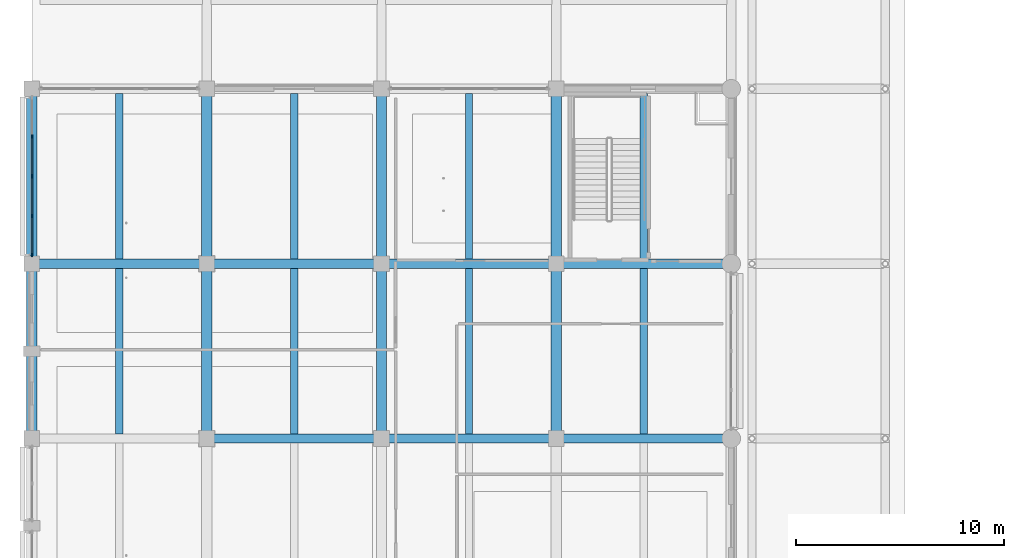
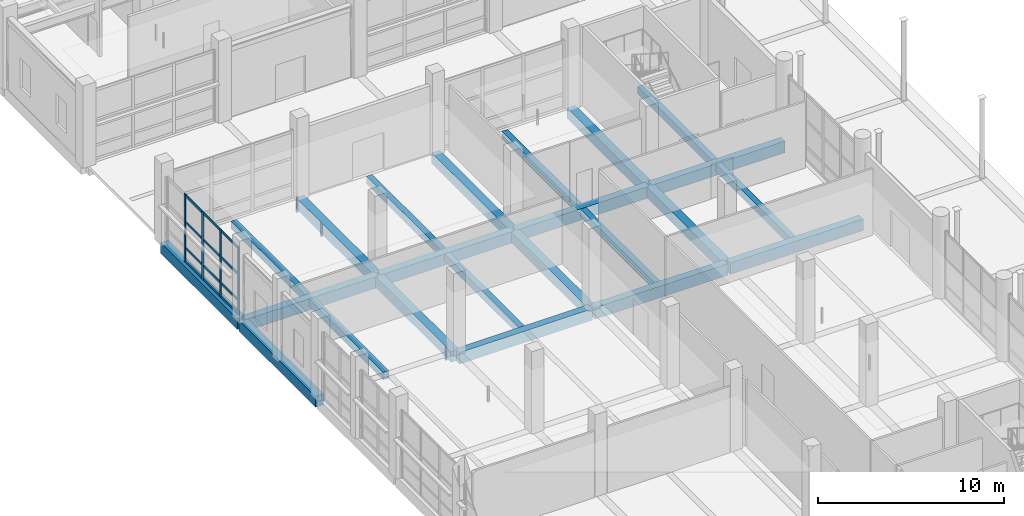
# One storey, part 25 of 140: 23 beams, 16 members, 1 element without a shape of its own.
"""IFC4 building model written with IfcOpenShell, lengths in metres."""

from ifc_helpers import new_model, si_unit, direction, frame, origin, origin_2d, place, context, subcontext, project, spatial, rectangle, extrude, material, layer, layer_set, material_profile, profile_set, type_object, element, aggregate, save


model = new_model("IFC4")

# Units and contexts
model_context = context("Model", 3, precision=1e-05, world=origin(), true_north=direction((0.0, 1.0)))
body_context = subcontext(model_context, "Body", "Model", "MODEL_VIEW")
ifc_project = project(units=[si_unit("LENGTHUNIT", "METRE"), si_unit("AREAUNIT", "SQUARE_METRE"), si_unit("VOLUMEUNIT", "CUBIC_METRE"), si_unit("PLANEANGLEUNIT", "RADIAN"), si_unit("MASSUNIT", "GRAM", prefix="KILO")], contexts=[model_context])

# Site, building, storey
site_placement = place(None, origin())
site = spatial("IfcSite", under=ifc_project, at=site_placement, CompositionType="ELEMENT")
building_placement = place(site_placement, origin())
building = spatial("IfcBuilding", under=site, at=building_placement, Name="Telukmera Botanical Conservatory", CompositionType="ELEMENT")
storey_placement = place(building_placement, origin())
storey = spatial("IfcBuildingStorey", under=building, at=storey_placement, Name="L00", CompositionType="ELEMENT", Elevation=0.0)

# Beams
ifc_material_1 = material(Name="Concrete C40/50", Category="concrete")
ifc_material_profile_1 = material_profile(ifc_material_1, rectangle(XDim=0.5, YDim=0.699951171875, at=origin_2d()), Name="RC 500x700")
ifc_profile_set_1 = profile_set([ifc_material_profile_1], Name="Concrete C40/50")
beam_type_1 = type_object("IfcBeamType", Name="Beam_B14", PredefinedType="BEAM", material=ifc_profile_set_1)
for number, where, z_axis, x_axis, name in (
    (1, (8.39990234375, 58.080078125, -0.35009765625), (0.0, 1.0, 0.0), (-1.0, 0.0, 0.0), "Visitor Wing Transverse Beam L00"),
    (2, (8.39990234375, 66.47998046875, -0.35009765625), (0.0, 1.0, 0.0), (-1.0, 0.0, 0.0), "Visitor Wing Transverse Beam L00"),
    (3, (16.800048828125, 58.080078125, -0.35009765625), (0.0, 1.0, 0.0), (-1.0, 0.0, 0.0), "Visitor Wing Transverse Beam L00"),
    (4, (16.800048828125, 66.47998046875, -0.35009765625), (0.0, 1.0, 0.0), (-1.0, 0.0, 0.0), "Visitor Wing Transverse Beam L00"),
    (5, (25.199951171875, 58.080078125, -0.35009765625), (0.0, 1.0, 0.0), (-1.0, 0.0, 0.0), "Visitor Wing Transverse Beam L00"),
    (6, (25.199951171875, 66.47998046875, -0.35009765625), (0.0, 1.0, 0.0), (-1.0, 0.0, 0.0), "Visitor Wing Transverse Beam L00"),
    (7, (33.60009765625, 58.080078125, -0.35009765625), (0.0, 1.0, 0.0), (-1.0, 0.0, 0.0), "Visitor Wing Transverse Beam L00"),
    (8, (33.60009765625, 66.47998046875, -0.35009765625), (0.0, 1.0, 0.0), (-1.0, 0.0, 0.0), "Visitor Wing Transverse Beam L00"),
):
    element("IfcBeam", number, at=place(storey_placement, frame(where, z_axis=z_axis, x_axis=x_axis)), inside=storey, type_object=beam_type_1, Name=name, PredefinedType="BEAM", context=body_context, shape_type="SweptSolid", body=[
        extrude(rectangle(XDim=0.5, YDim=0.699951171875, at=origin_2d()), origin(), (0.0, 0.0, 1.0), 8.239990234375),
    ])
ifc_material_profile_2 = material_profile(ifc_material_1, rectangle(XDim=0.35009765625, YDim=0.5, at=origin_2d()), Name="RC 350x500")
ifc_profile_set_2 = profile_set([ifc_material_profile_2], Name="Concrete C40/50")
beam_type_2 = type_object("IfcBeamType", Name="Beam_B22", PredefinedType="JOIST", material=ifc_profile_set_2)
for number, where, z_axis, x_axis, name in (
    (9, (12.60009765625, 58.22509765625, -0.25), (0.0, 1.0, 0.0), (-1.0, 0.0, 0.0), "Visitor Wing Floor Joist L00"),
    (10, (12.60009765625, 66.625, -0.25), (0.0, 1.0, 0.0), (-1.0, 0.0, 0.0), "Visitor Wing Floor Joist L00"),
    (11, (21.0, 58.22509765625, -0.25), (0.0, 1.0, 0.0), (-1.0, 0.0, 0.0), "Visitor Wing Floor Joist L00"),
    (12, (21.0, 66.625, -0.25), (0.0, 1.0, 0.0), (-1.0, 0.0, 0.0), "Visitor Wing Floor Joist L00"),
    (13, (29.39990234375, 58.22509765625, -0.25), (0.0, 1.0, 0.0), (-1.0, 0.0, 0.0), "Visitor Wing Floor Joist L00"),
    (14, (29.39990234375, 66.625, -0.25), (0.0, 1.0, 0.0), (-1.0, 0.0, 0.0), "Visitor Wing Floor Joist L00"),
    (15, (37.800048828125, 58.22509765625, -0.25), (0.0, 1.0, 0.0), (-1.0, 0.0, 0.0), "Visitor Wing Floor Joist L00"),
    (16, (37.800048828125, 66.625, -0.25), (0.0, 1.0, 0.0), (-1.0, 0.0, 0.0), "Visitor Wing Floor Joist L00"),
):
    element("IfcBeam", number, at=place(storey_placement, frame(where, z_axis=z_axis, x_axis=x_axis)), inside=storey, type_object=beam_type_2, Name=name, PredefinedType="JOIST", context=body_context, shape_type="SweptSolid", body=[
        extrude(rectangle(XDim=0.35009765625, YDim=0.5, at=origin_2d()), origin(), (0.0, 0.0, 1.0), 7.949951171875),
    ])
ifc_material_profile_3 = material_profile(ifc_material_1, rectangle(XDim=0.449951171875, YDim=0.75, at=origin_2d()), Name="RC 450x750")
ifc_profile_set_3 = profile_set([ifc_material_profile_3], Name="Concrete C40/50")
beam_type_3 = type_object("IfcBeamType", Name="Beam_B6", PredefinedType="BEAM", material=ifc_profile_set_3)
beam_1_placement = place(storey_placement, frame((16.8798828125, 58.0, -0.375), z_axis=(1.0, 0.0, 0.0), x_axis=(0.0, 1.0, 0.0)))
element("IfcBeam", 17, at=beam_1_placement, inside=storey, type_object=beam_type_3, Name="Visitor Wing Grid Beam L00", PredefinedType="BEAM", context=body_context, shape_type="SweptSolid", body=[
    extrude(rectangle(XDim=0.449951171875, YDim=0.75, at=origin_2d()), origin(), (0.0, 0.0, 1.0), 8.240234375),
])
for number, where, z_axis, x_axis, name in (
    (18, (25.280029296875, 58.0, -0.375), (1.0, 0.0, 0.0), (0.0, 1.0, 0.0), "Visitor Wing Grid Beam L00"),
    (19, (33.679931640625, 58.0, -0.375), (1.0, 0.0, 0.0), (0.0, 1.0, 0.0), "Visitor Wing Grid Beam L00"),
    (20, (8.47998046875, 66.39990234375, -0.375), (1.0, 0.0, 0.0), (0.0, 1.0, 0.0), "Visitor Wing Grid Beam L00"),
):
    element("IfcBeam", number, at=place(storey_placement, frame(where, z_axis=z_axis, x_axis=x_axis)), inside=storey, type_object=beam_type_3, Name=name, PredefinedType="BEAM", context=body_context, shape_type="SweptSolid", body=[
        extrude(rectangle(XDim=0.449951171875, YDim=0.75, at=origin_2d()), origin(), (0.0, 0.0, 1.0), 8.239990234375),
    ])
beam_2_placement = place(storey_placement, frame((16.8798828125, 66.39990234375, -0.375), z_axis=(1.0, 0.0, 0.0), x_axis=(0.0, 1.0, 0.0)))
element("IfcBeam", 21, at=beam_2_placement, inside=storey, type_object=beam_type_3, Name="Visitor Wing Grid Beam L00", PredefinedType="BEAM", context=body_context, shape_type="SweptSolid", body=[
    extrude(rectangle(XDim=0.449951171875, YDim=0.75, at=origin_2d()), origin(), (0.0, 0.0, 1.0), 8.240234375),
])
for number, where, z_axis, x_axis, name in (
    (22, (25.280029296875, 66.39990234375, -0.375), (1.0, 0.0, 0.0), (0.0, 1.0, 0.0), "Visitor Wing Grid Beam L00"),
    (23, (33.679931640625, 66.39990234375, -0.375), (1.0, 0.0, 0.0), (0.0, 1.0, 0.0), "Visitor Wing Grid Beam L00"),
):
    element("IfcBeam", number, at=place(storey_placement, frame(where, z_axis=z_axis, x_axis=x_axis)), inside=storey, type_object=beam_type_3, Name=name, PredefinedType="BEAM", context=body_context, shape_type="SweptSolid", body=[
        extrude(rectangle(XDim=0.449951171875, YDim=0.75, at=origin_2d()), origin(), (0.0, 0.0, 1.0), 8.239990234375),
    ])

# Curtain wall, members
ifc_material_2 = material(Name="Anodised aluminium 6063-T6", Category="aluminium")
ifc_layer = layer(ifc_material_2, 0.179931640625)
ifc_layer_set = layer_set([ifc_layer], Name="Anodised aluminium 6063-T6")
curtain_wall_type = type_object("IfcCurtainWallType", Name="Visitor Colonnade Ground Curtain Wall 1800 Mod", PredefinedType="USERDEFINED", material=ifc_layer_set)
curtain_wall_placement = place(storey_placement, origin())
curtain_wall = element("IfcCurtainWall", 24, at=curtain_wall_placement, inside=storey, type_object=curtain_wall_type, Name="Unitised Curtain Wall CW06 V3:L00:W7", ObjectType="UNITISED CURTAIN WALL", PredefinedType="USERDEFINED")
ifc_material_profile_4 = material_profile(ifc_material_2, rectangle(XDim=0.070068359375, YDim=0.179931640625, at=origin_2d()), Name="ALU MULL 70x180")
ifc_profile_set_4 = profile_set([ifc_material_profile_4], Name="Anodised aluminium 6063-T6")
member_type_1 = type_object("IfcMemberType", Name="Curtain Wall Extruded Mullion 70x180", PredefinedType="MULLION", material=ifc_profile_set_4)
member_1_placement = place(storey_placement, frame((8.39990234375, 66.81201171875, 0.0), z_axis=(0.0, 0.0, 1.0), x_axis=(-1.0, 0.0, 0.0)))
member_1 = element("IfcMember", 25, at=member_1_placement, type_object=member_type_1, Name="CW06 mullion 1", PredefinedType="MULLION", context=body_context, shape_type="SweptSolid", body=[
    extrude(rectangle(XDim=0.070068359375, YDim=0.179931640625, at=origin_2d()), origin(), (0.0, 0.0, 1.0), 4.449951171875),
])
member_2_placement = place(storey_placement, frame((8.39990234375, 68.6884765625, 0.0), z_axis=(0.0, 0.0, 1.0), x_axis=(-1.0, 0.0, 0.0)))
member_2 = element("IfcMember", 26, at=member_2_placement, type_object=member_type_1, Name="CW06 mullion 2", PredefinedType="MULLION", context=body_context, shape_type="SweptSolid", body=[
    extrude(rectangle(XDim=0.070068359375, YDim=0.179931640625, at=origin_2d()), origin(), (0.0, 0.0, 1.0), 4.449951171875),
])
member_3_placement = place(storey_placement, frame((8.39990234375, 70.60009765625, 0.0), z_axis=(0.0, 0.0, 1.0), x_axis=(-1.0, 0.0, 0.0)))
member_3 = element("IfcMember", 27, at=member_3_placement, type_object=member_type_1, Name="CW06 mullion 3", PredefinedType="MULLION", context=body_context, shape_type="SweptSolid", body=[
    extrude(rectangle(XDim=0.070068359375, YDim=0.179931640625, at=origin_2d()), origin(), (0.0, 0.0, 1.0), 4.449951171875),
])
member_4_placement = place(storey_placement, frame((8.39990234375, 72.511474609375, 0.0), z_axis=(0.0, 0.0, 1.0), x_axis=(-1.0, 0.0, 0.0)))
member_4 = element("IfcMember", 28, at=member_4_placement, type_object=member_type_1, Name="CW06 mullion 4", PredefinedType="MULLION", context=body_context, shape_type="SweptSolid", body=[
    extrude(rectangle(XDim=0.070068359375, YDim=0.179931640625, at=origin_2d()), origin(), (0.0, 0.0, 1.0), 4.449951171875),
])
ifc_material_profile_5 = material_profile(ifc_material_2, rectangle(XDim=0.070068359375, YDim=0.14990234375, at=origin_2d()), Name="ALU TRAN 70x150")
ifc_profile_set_5 = profile_set([ifc_material_profile_5], Name="Anodised aluminium 6063-T6")
member_type_2 = type_object("IfcMemberType", Name="Curtain Wall Extruded Transom 70x150", PredefinedType="USERDEFINED", material=ifc_profile_set_5)
member_5_placement = place(storey_placement, frame((8.39990234375, 66.846923828125, 0.074951171875), z_axis=(0.0, 1.0, 0.0), x_axis=(-1.0, 0.0, 0.0)))
member_5 = element("IfcMember", 29, at=member_5_placement, type_object=member_type_2, Name="CW06 transom 1.1", ObjectType="TRANSOM", PredefinedType="USERDEFINED", context=body_context, shape_type="SweptSolid", body=[
    extrude(rectangle(XDim=0.070068359375, YDim=0.14990234375, at=origin_2d()), origin(), (0.0, 0.0, 1.0), 1.806640625),
])
member_6_placement = place(storey_placement, frame((8.39990234375, 66.846923828125, 0.949951171875), z_axis=(0.0, 1.0, 0.0), x_axis=(-1.0, 0.0, 0.0)))
member_6 = element("IfcMember", 30, at=member_6_placement, type_object=member_type_2, Name="CW06 transom 1.2", ObjectType="TRANSOM", PredefinedType="USERDEFINED", context=body_context, shape_type="SweptSolid", body=[
    extrude(rectangle(XDim=0.070068359375, YDim=0.14990234375, at=origin_2d()), origin(), (0.0, 0.0, 1.0), 1.806640625),
])
member_7_placement = place(storey_placement, frame((8.39990234375, 66.846923828125, 2.64990234375), z_axis=(0.0, 1.0, 0.0), x_axis=(-1.0, 0.0, 0.0)))
member_7 = element("IfcMember", 31, at=member_7_placement, type_object=member_type_2, Name="CW06 transom 1.3", ObjectType="TRANSOM", PredefinedType="USERDEFINED", context=body_context, shape_type="SweptSolid", body=[
    extrude(rectangle(XDim=0.070068359375, YDim=0.14990234375, at=origin_2d()), origin(), (0.0, 0.0, 1.0), 1.806640625),
])
member_8_placement = place(storey_placement, frame((8.39990234375, 66.846923828125, 4.375), z_axis=(0.0, 1.0, 0.0), x_axis=(-1.0, 0.0, 0.0)))
member_8 = element("IfcMember", 32, at=member_8_placement, type_object=member_type_2, Name="CW06 transom 1.4", ObjectType="TRANSOM", PredefinedType="USERDEFINED", context=body_context, shape_type="SweptSolid", body=[
    extrude(rectangle(XDim=0.070068359375, YDim=0.14990234375, at=origin_2d()), origin(), (0.0, 0.0, 1.0), 1.806640625),
])
member_9_placement = place(storey_placement, frame((8.39990234375, 68.723388671875, 0.074951171875), z_axis=(0.0, 1.0, 0.0), x_axis=(-1.0, 0.0, 0.0)))
member_9 = element("IfcMember", 33, at=member_9_placement, type_object=member_type_2, Name="CW06 transom 2.1", ObjectType="TRANSOM", PredefinedType="USERDEFINED", context=body_context, shape_type="SweptSolid", body=[
    extrude(rectangle(XDim=0.070068359375, YDim=0.14990234375, at=origin_2d()), origin(), (0.0, 0.0, 1.0), 1.841552734375),
])
member_10_placement = place(storey_placement, frame((8.39990234375, 68.723388671875, 0.949951171875), z_axis=(0.0, 1.0, 0.0), x_axis=(-1.0, 0.0, 0.0)))
member_10 = element("IfcMember", 34, at=member_10_placement, type_object=member_type_2, Name="CW06 transom 2.2", ObjectType="TRANSOM", PredefinedType="USERDEFINED", context=body_context, shape_type="SweptSolid", body=[
    extrude(rectangle(XDim=0.070068359375, YDim=0.14990234375, at=origin_2d()), origin(), (0.0, 0.0, 1.0), 1.841552734375),
])
member_11_placement = place(storey_placement, frame((8.39990234375, 68.723388671875, 2.64990234375), z_axis=(0.0, 1.0, 0.0), x_axis=(-1.0, 0.0, 0.0)))
member_11 = element("IfcMember", 35, at=member_11_placement, type_object=member_type_2, Name="CW06 transom 2.3", ObjectType="TRANSOM", PredefinedType="USERDEFINED", context=body_context, shape_type="SweptSolid", body=[
    extrude(rectangle(XDim=0.070068359375, YDim=0.14990234375, at=origin_2d()), origin(), (0.0, 0.0, 1.0), 1.841552734375),
])
member_12_placement = place(storey_placement, frame((8.39990234375, 68.723388671875, 4.375), z_axis=(0.0, 1.0, 0.0), x_axis=(-1.0, 0.0, 0.0)))
member_12 = element("IfcMember", 36, at=member_12_placement, type_object=member_type_2, Name="CW06 transom 2.4", ObjectType="TRANSOM", PredefinedType="USERDEFINED", context=body_context, shape_type="SweptSolid", body=[
    extrude(rectangle(XDim=0.070068359375, YDim=0.14990234375, at=origin_2d()), origin(), (0.0, 0.0, 1.0), 1.841552734375),
])
member_13_placement = place(storey_placement, frame((8.39990234375, 70.635009765625, 0.074951171875), z_axis=(0.0, 1.0, 0.0), x_axis=(-1.0, 0.0, 0.0)))
member_13 = element("IfcMember", 37, at=member_13_placement, type_object=member_type_2, Name="CW06 transom 3.1", ObjectType="TRANSOM", PredefinedType="USERDEFINED", context=body_context, shape_type="SweptSolid", body=[
    extrude(rectangle(XDim=0.070068359375, YDim=0.14990234375, at=origin_2d()), origin(), (0.0, 0.0, 1.0), 1.841552734375),
])
member_14_placement = place(storey_placement, frame((8.39990234375, 70.635009765625, 0.949951171875), z_axis=(0.0, 1.0, 0.0), x_axis=(-1.0, 0.0, 0.0)))
member_14 = element("IfcMember", 38, at=member_14_placement, type_object=member_type_2, Name="CW06 transom 3.2", ObjectType="TRANSOM", PredefinedType="USERDEFINED", context=body_context, shape_type="SweptSolid", body=[
    extrude(rectangle(XDim=0.070068359375, YDim=0.14990234375, at=origin_2d()), origin(), (0.0, 0.0, 1.0), 1.841552734375),
])
member_15_placement = place(storey_placement, frame((8.39990234375, 70.635009765625, 2.64990234375), z_axis=(0.0, 1.0, 0.0), x_axis=(-1.0, 0.0, 0.0)))
member_15 = element("IfcMember", 39, at=member_15_placement, type_object=member_type_2, Name="CW06 transom 3.3", ObjectType="TRANSOM", PredefinedType="USERDEFINED", context=body_context, shape_type="SweptSolid", body=[
    extrude(rectangle(XDim=0.070068359375, YDim=0.14990234375, at=origin_2d()), origin(), (0.0, 0.0, 1.0), 1.841552734375),
])
member_16_placement = place(storey_placement, frame((8.39990234375, 70.635009765625, 4.375), z_axis=(0.0, 1.0, 0.0), x_axis=(-1.0, 0.0, 0.0)))
member_16 = element("IfcMember", 40, at=member_16_placement, type_object=member_type_2, Name="CW06 transom 3.4", ObjectType="TRANSOM", PredefinedType="USERDEFINED", context=body_context, shape_type="SweptSolid", body=[
    extrude(rectangle(XDim=0.070068359375, YDim=0.14990234375, at=origin_2d()), origin(), (0.0, 0.0, 1.0), 1.841552734375),
])
aggregate(curtain_wall, [member_1, member_2, member_3, member_4, member_5, member_6, member_7, member_8, member_9, member_10, member_11, member_12, member_13, member_14, member_15, member_16])

save(model, "model.ifc")
